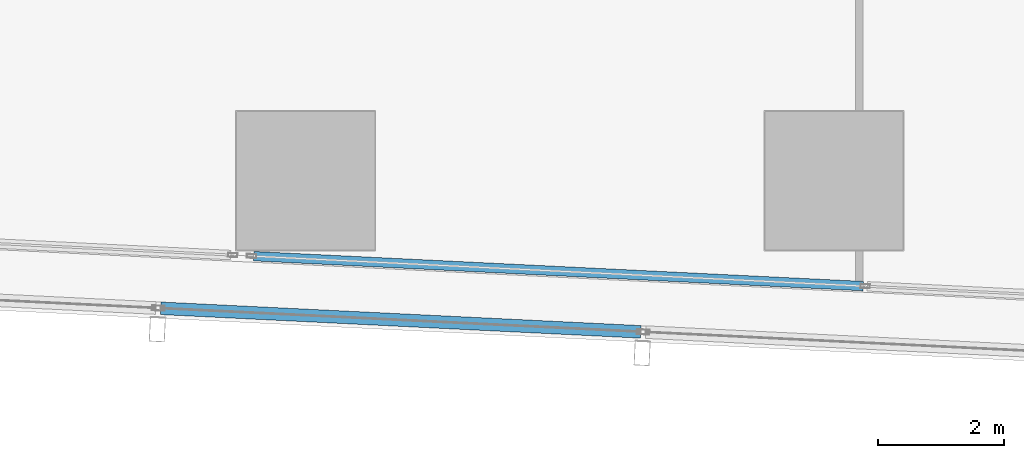
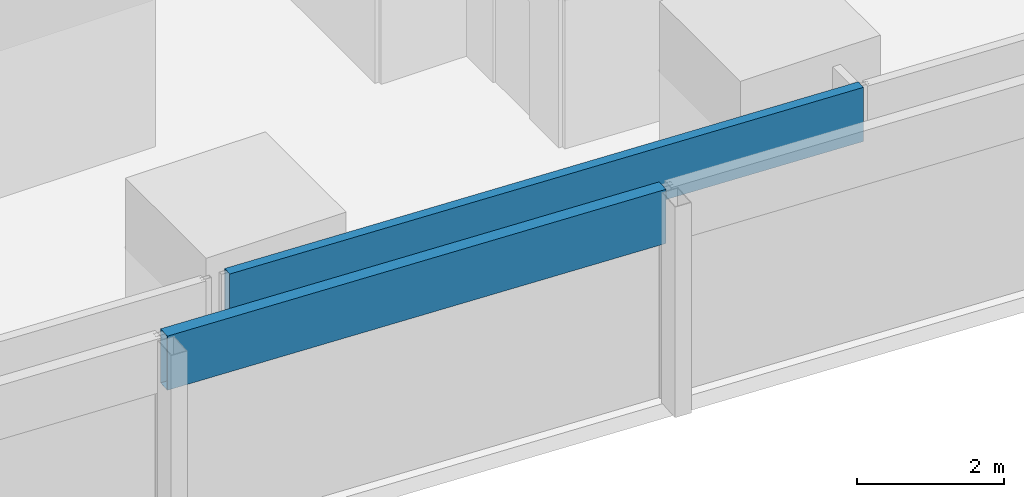
# One storey, part 3 of 42: 2 members, 2 elements without a shape of their own.
"""IFC4 building model written with IfcOpenShell, lengths in metres."""

from ifc_helpers import new_model, si_unit, direction, frame, origin, origin_2d, place, context, subcontext, project, spatial, hollow_rectangle, extrude, material, material_profile, profile_set, type_object, element, aggregate, save


model = new_model("IFC4")

# Units and contexts
model_context = context("Model", 3, precision=1e-05, world=origin(), true_north=direction((0.0, 1.0)))
body_context = subcontext(model_context, "Body", "Model", "MODEL_VIEW")
ifc_project = project(units=[si_unit("LENGTHUNIT", "METRE"), si_unit("AREAUNIT", "SQUARE_METRE"), si_unit("VOLUMEUNIT", "CUBIC_METRE"), si_unit("PLANEANGLEUNIT", "RADIAN"), si_unit("MASSUNIT", "GRAM", prefix="KILO")], contexts=[model_context])

# Site, building, storey
site_placement = place(None, origin())
site = spatial("IfcSite", under=ifc_project, at=site_placement, CompositionType="ELEMENT")
building_placement = place(site_placement, origin())
building = spatial("IfcBuilding", under=site, at=building_placement, Name="Rekha Terrace Tower", CompositionType="ELEMENT")
storey_placement = place(building_placement, frame((0.0, 0.0, 55.39990234375)))
storey = spatial("IfcBuildingStorey", under=building, at=storey_placement, Name="L13", CompositionType="ELEMENT", Elevation=55.39990234375)

# Curtain wall, member
ifc_material_1 = material(Name="Aluminium framing", Category="aluminium")
curtain_wall_type_1 = type_object("IfcCurtainWallType", Name="CW1 double skin inner glazing", PredefinedType="USERDEFINED", material=ifc_material_1)
curtain_wall_1_placement = place(storey_placement, origin())
curtain_wall_1 = element("IfcCurtainWall", 1, at=curtain_wall_1_placement, inside=storey, type_object=curtain_wall_type_1, Name="CW1 double skin inner glazing", ObjectType="DOUBLE SKIN INNER GLAZING", PredefinedType="USERDEFINED")
ifc_material_2 = material(Name="Insulated aluminium spandrel box", Category="aluminium")
ifc_material_profile_1 = material_profile(ifc_material_2, hollow_rectangle(XDim=0.14990234375, YDim=0.89990234375, WallThickness=0.0029296875, at=origin_2d()), Name="AL SPANDREL BOX 150x900")
ifc_profile_set_1 = profile_set([ifc_material_profile_1], Name="Insulated aluminium spandrel box")
member_type_1 = type_object("IfcMemberType", Name="CW1 spandrel transom 150 x 900", PredefinedType="USERDEFINED", material=ifc_profile_set_1)
member_1_placement = place(storey_placement, frame((15.973388671875, 7.200927734375, 3.050048828125), z_axis=(0.99879655824, -0.049045236754, 0.0), x_axis=(0.049045236754, 0.99879655824, 0.0)))
member_1 = element("IfcMember", 2, at=member_1_placement, type_object=member_type_1, Name="CW1 spandrel transom 1", ObjectType="TRANSOM", PredefinedType="USERDEFINED", context=body_context, shape_type="SweptSolid", body=[
    extrude(hollow_rectangle(XDim=0.14990234375, YDim=0.89990234375, WallThickness=0.0029296875, at=origin_2d()), origin(), (0.0, 0.0, 1.0), 9.701904296875),
])
aggregate(curtain_wall_1, [member_1])

curtain_wall_type_2 = type_object("IfcCurtainWallType", Name="CW2 double skin outer glazing", PredefinedType="USERDEFINED", material=ifc_material_1)
curtain_wall_2_placement = place(storey_placement, origin())
curtain_wall_2 = element("IfcCurtainWall", 3, at=curtain_wall_2_placement, inside=storey, type_object=curtain_wall_type_2, Name="CW2 double skin outer glazing", ObjectType="DOUBLE SKIN OUTER GLAZING", PredefinedType="USERDEFINED")
ifc_material_profile_2 = material_profile(ifc_material_2, hollow_rectangle(XDim=0.199951171875, YDim=0.89990234375, WallThickness=0.0029296875, at=origin_2d()), Name="AL SPANDREL BOX 200x900")
ifc_profile_set_2 = profile_set([ifc_material_profile_2], Name="Insulated aluminium spandrel box")
member_type_2 = type_object("IfcMemberType", Name="CW2 spandrel transom 200 x 900", PredefinedType="USERDEFINED", material=ifc_profile_set_2)
member_2_placement = place(storey_placement, frame((14.499755859375, 6.372314453125, 3.050048828125), z_axis=(0.998796511558, -0.049046187417, 0.0), x_axis=(0.049046187417, 0.998796511558, 0.0)))
member_2 = element("IfcMember", 4, at=member_2_placement, type_object=member_type_2, Name="CW2 spandrel transom 2", ObjectType="TRANSOM", PredefinedType="USERDEFINED", context=body_context, shape_type="SweptSolid", body=[
    extrude(hollow_rectangle(XDim=0.199951171875, YDim=0.89990234375, WallThickness=0.0029296875, at=origin_2d()), origin(), (0.0, 0.0, 1.0), 7.635986328125),
])
aggregate(curtain_wall_2, [member_2])

save(model, "model.ifc")
